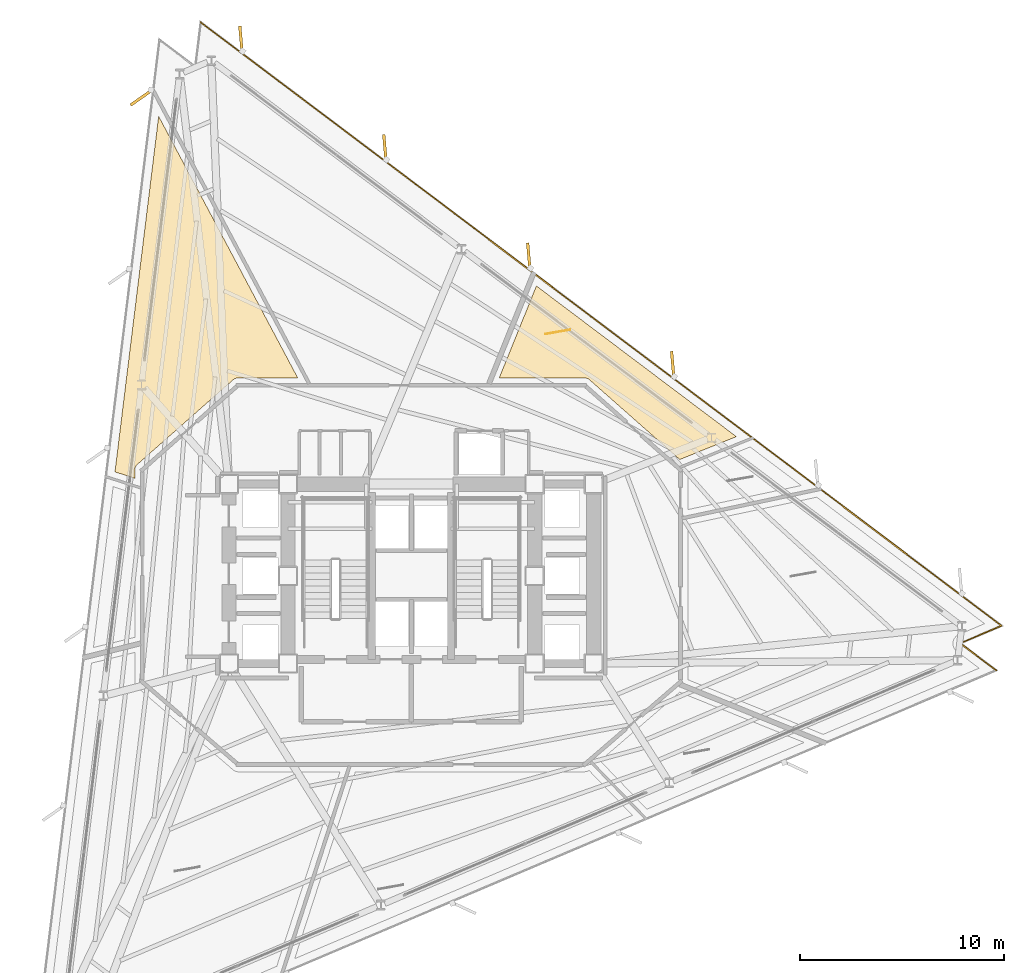
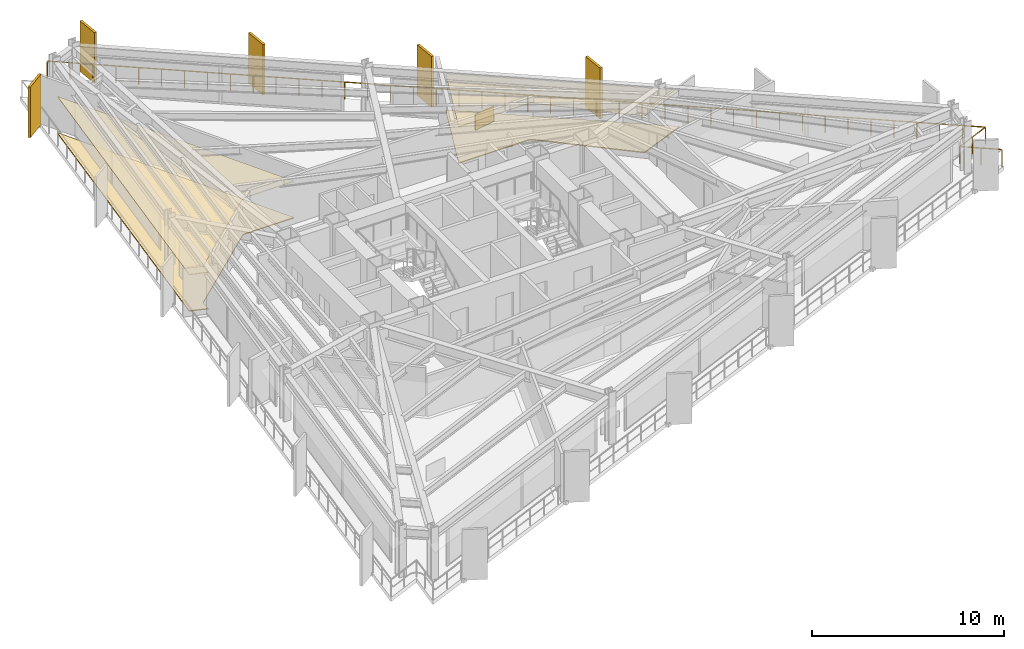
# One storey, part 13 of 13: 5 coverings, 5 shading devices, 1 railing.
"""IFC4 building model written with IfcOpenShell, lengths in metres."""

from ifc_helpers import new_model, si_unit, direction, frame, origin, origin_2d, place, context, subcontext, project, spatial, polyline, rectangle, outline, extrude, material, layer, layer_set, type_object, element, save


model = new_model("IFC4")

# Units and contexts
model_context = context("Model", 3, precision=1e-05, world=origin(), true_north=direction((0.0, 1.0)))
body_context = subcontext(model_context, "Body", "Model", "MODEL_VIEW")
ifc_project = project(units=[si_unit("LENGTHUNIT", "METRE"), si_unit("AREAUNIT", "SQUARE_METRE"), si_unit("VOLUMEUNIT", "CUBIC_METRE"), si_unit("PLANEANGLEUNIT", "RADIAN"), si_unit("MASSUNIT", "GRAM", prefix="KILO")], contexts=[model_context])

# Site, building, storey
site_placement = place(None, origin())
site = spatial("IfcSite", under=ifc_project, at=site_placement, CompositionType="ELEMENT")
building_placement = place(site_placement, origin())
building = spatial("IfcBuilding", under=site, at=building_placement, Name="Rocaltana Carrier Exchange", CompositionType="ELEMENT")
storey_placement = place(building_placement, frame((0.0, 0.0, 52.9599609375)))
storey = spatial("IfcBuildingStorey", under=building, at=storey_placement, Name="L16", CompositionType="ELEMENT", Elevation=52.9599609375)

# Coverings
ifc_material_1 = material(Name="Calcium Sulphate & Aluminium Pedestal", Category="aluminium")
ifc_layer_1 = layer(ifc_material_1, 0.06005859375)
ifc_layer_set_1 = layer_set([ifc_layer_1], Name="Calcium Sulphate & Aluminium Pedestal")
covering_type_1 = type_object("IfcCoveringType", Name="Anti-Static Raised Exchange Access Floor 60", PredefinedType="FLOORING", material=ifc_layer_set_1)
covering_1_placement = place(storey_placement, origin())
element("IfcCovering", 1, at=covering_1_placement, inside=storey, type_object=covering_type_1, Name="L16 Network Engineering Studio Finish Floor", PredefinedType="FLOORING", context=body_context, shape_type="SweptSolid", body=[
    extrude(outline(polyline([(15.944580078125, 6.830322265625), (13.16796875, 5.70849609375), (8.73828125, 9.619873046875), (8.727294921875, 9.629150390625), (8.720703125, 9.63427734375), (8.697265625, 9.651123046875), (8.690185546875, 9.655517578125), (8.6650390625, 9.669921875), (8.65771484375, 9.673583984375), (8.631103515625, 9.68505859375), (8.62353515625, 9.68798828125), (8.595947265625, 9.697021484375), (8.587890625, 9.698974609375), (8.5595703125, 9.704833984375), (8.551513671875, 9.706298828125), (8.522705078125, 9.709228515625), (8.514404296875, 9.709716796875), (8.5, 9.7099609375), (4.311279296875, 9.7099609375), (6.134521484375, 14.222900390625), (15.944580078125, 6.830322265625)])), origin(), (0.0, 0.0, 1.0), 0.06005859375),
])
covering_2_placement = place(storey_placement, origin())
element("IfcCovering", 2, at=covering_2_placement, inside=storey, type_object=covering_type_1, Name="L16 Photonic Integration Workshop Finish Floor", PredefinedType="FLOORING", context=body_context, shape_type="SweptSolid", body=[
    extrude(outline(polyline([(-12.3955078125, 22.545654296875), (-5.570556640625, 9.7099609375), (-8.5, 9.7099609375), (-8.514404296875, 9.709716796875), (-8.522705078125, 9.709228515625), (-8.551513671875, 9.706298828125), (-8.5595703125, 9.704833984375), (-8.587890625, 9.698974609375), (-8.595947265625, 9.697021484375), (-8.62353515625, 9.68798828125), (-8.631103515625, 9.68505859375), (-8.65771484375, 9.673583984375), (-8.6650390625, 9.669921875), (-8.690185546875, 9.655517578125), (-8.697265625, 9.651123046875), (-8.720703125, 9.63427734375), (-8.727294921875, 9.629150390625), (-8.73828125, 9.619873046875), (-13.438232421875, 5.469970703125), (-13.447998046875, 5.4609375), (-13.453369140625, 5.455810546875), (-13.471435546875, 5.436279296875), (-13.476318359375, 5.4306640625), (-13.492431640625, 5.409912109375), (-13.49658203125, 5.40380859375), (-13.5107421875, 5.38134765625), (-13.5146484375, 5.375), (-13.526611328125, 5.351318359375), (-13.529541015625, 5.344482421875), (-13.539306640625, 5.320068359375), (-13.541748046875, 5.31298828125), (-13.549072265625, 5.28759765625), (-13.55078125, 5.2802734375), (-13.555908203125, 5.25439453125), (-13.556884765625, 5.246826171875), (-13.559326171875, 5.220703125), (-13.559814453125, 5.213134765625), (-13.56005859375, 5.199951171875), (-13.56005859375, 4.784423828125), (-14.537353515625, 5.10205078125), (-12.3955078125, 22.545654296875)])), origin(), (0.0, 0.0, 1.0), 0.06005859375),
])
ifc_material_2 = material(Name="Mineral Fibre & Powder-Coated Aluminium", Category="aluminium")
ifc_layer_2 = layer(ifc_material_2, 0.044921875)
ifc_layer_set_2 = layer_set([ifc_layer_2], Name="Mineral Fibre & Powder-Coated Aluminium")
covering_type_2 = type_object("IfcCoveringType", Name="Micro-Perforated Acoustic Ceiling 45", PredefinedType="CEILING", material=ifc_layer_set_2)
covering_3_placement = place(storey_placement, frame((0.0, 0.0, 2.322998046875)))
element("IfcCovering", 3, at=covering_3_placement, inside=storey, type_object=covering_type_2, Name="L16 Network Engineering Studio Acoustic Ceiling", PredefinedType="CEILING", context=body_context, shape_type="SweptSolid", body=[
    extrude(outline(polyline([(15.944580078125, 6.830322265625), (13.16796875, 5.70849609375), (8.73828125, 9.619873046875), (8.727294921875, 9.629150390625), (8.720703125, 9.63427734375), (8.697265625, 9.651123046875), (8.690185546875, 9.655517578125), (8.6650390625, 9.669921875), (8.65771484375, 9.673583984375), (8.631103515625, 9.68505859375), (8.62353515625, 9.68798828125), (8.595947265625, 9.697021484375), (8.587890625, 9.698974609375), (8.5595703125, 9.704833984375), (8.551513671875, 9.706298828125), (8.522705078125, 9.709228515625), (8.514404296875, 9.709716796875), (8.5, 9.7099609375), (4.311279296875, 9.7099609375), (6.134521484375, 14.222900390625), (15.944580078125, 6.830322265625)])), origin(), (0.0, 0.0, 1.0), 0.044921875),
])
covering_4_placement = place(storey_placement, frame((0.0, 0.0, 2.322998046875)))
element("IfcCovering", 4, at=covering_4_placement, inside=storey, type_object=covering_type_2, Name="L16 Photonic Integration Workshop Acoustic Ceiling", PredefinedType="CEILING", context=body_context, shape_type="SweptSolid", body=[
    extrude(outline(polyline([(-12.3955078125, 22.545654296875), (-5.570556640625, 9.7099609375), (-8.5, 9.7099609375), (-8.514404296875, 9.709716796875), (-8.522705078125, 9.709228515625), (-8.551513671875, 9.706298828125), (-8.5595703125, 9.704833984375), (-8.587890625, 9.698974609375), (-8.595947265625, 9.697021484375), (-8.62353515625, 9.68798828125), (-8.631103515625, 9.68505859375), (-8.65771484375, 9.673583984375), (-8.6650390625, 9.669921875), (-8.690185546875, 9.655517578125), (-8.697265625, 9.651123046875), (-8.720703125, 9.63427734375), (-8.727294921875, 9.629150390625), (-8.73828125, 9.619873046875), (-13.438232421875, 5.469970703125), (-13.447998046875, 5.4609375), (-13.453369140625, 5.455810546875), (-13.471435546875, 5.436279296875), (-13.476318359375, 5.4306640625), (-13.492431640625, 5.409912109375), (-13.49658203125, 5.40380859375), (-13.5107421875, 5.38134765625), (-13.5146484375, 5.375), (-13.526611328125, 5.351318359375), (-13.529541015625, 5.344482421875), (-13.539306640625, 5.320068359375), (-13.541748046875, 5.31298828125), (-13.549072265625, 5.28759765625), (-13.55078125, 5.2802734375), (-13.555908203125, 5.25439453125), (-13.556884765625, 5.246826171875), (-13.559326171875, 5.220703125), (-13.559814453125, 5.213134765625), (-13.56005859375, 5.199951171875), (-13.56005859375, 4.784423828125), (-14.537353515625, 5.10205078125), (-12.3955078125, 22.545654296875)])), origin(), (0.0, 0.0, 1.0), 0.044921875),
])
ifc_material_3 = material(Name="Honed Piedra Muneca Sandstone", Category="masonry")
ifc_layer_3 = layer(ifc_material_3, 0.034912109375)
ifc_layer_set_3 = layer_set([ifc_layer_3], Name="Honed Piedra Muneca Sandstone")
covering_type_3 = type_object("IfcCoveringType", Name="Stone Facade Cladding 35", PredefinedType="CLADDING", material=ifc_layer_set_3)
covering_5_placement = place(storey_placement, frame((7.176025390625, 11.96630859375, 0.0), z_axis=(0.0, 0.0, 1.0), x_axis=(0.984807753012, 0.173648177667, 0.0)))
element("IfcCovering", 5, at=covering_5_placement, inside=storey, type_object=covering_type_3, Name="L16 Stone Facade Cladding Panel 6", PredefinedType="CLADDING", context=body_context, shape_type="SweptSolid", body=[
    extrude(rectangle(XDim=1.25, YDim=0.034912109375, at=origin_2d()), origin(), (0.0, 0.0, 1.0), 1.050048828125),
])

# Shading devices
ifc_material_4 = material(Name="Honed Bogota Sandstone & Concrete C45/55", Category="masonry")
ifc_layer_4 = layer(ifc_material_4, 0.139892578125)
ifc_layer_set_4 = layer_set([ifc_layer_4], Name="Honed Bogota Sandstone & Concrete C45/55")
shading_device_type = type_object("IfcShadingDeviceType", Name="Vertical Sandstone Shading Fin 1320x140", PredefinedType="USERDEFINED", material=ifc_layer_set_4)
for number, where, z_axis, x_axis, name in (
    (6, (12.822509765625, 10.361083984375, -0.1201171875), (0.0, 0.0, 1.0), (-0.087155742748, 0.996194698092, 0.0), "L16 Sandstone Vertical Fin F1-03"),
    (7, (5.7626953125, 15.680908203125, -0.1201171875), (0.0, 0.0, 1.0), (-0.087155742748, 0.996194698092, 0.0), "L16 Sandstone Vertical Fin F1-04"),
    (8, (-1.29736328125, 21.001220703125, -0.1201171875), (0.0, 0.0, 1.0), (-0.087155742748, 0.996194698092, 0.0), "L16 Sandstone Vertical Fin F1-05"),
    (9, (-8.357421875, 26.321044921875, -0.1201171875), (0.0, 0.0, 1.0), (-0.087155742748, 0.996194698092, 0.0), "L16 Sandstone Vertical Fin F1-06"),
    (10, (-13.2294921875, 23.472412109375, -0.1201171875), (0.0, 0.0, 1.0), (-0.819152044289, -0.573576436351, 0.0), "L16 Sandstone Vertical Fin F2-01"),
):
    element("IfcShadingDevice", number, at=place(storey_placement, frame(where, z_axis=z_axis, x_axis=x_axis)), inside=storey, type_object=shading_device_type, Name=name, ObjectType="FIN", PredefinedType="USERDEFINED", context=body_context, shape_type="SweptSolid", body=[
        extrude(rectangle(XDim=1.320068359375, YDim=0.139892578125, at=origin_2d()), origin(), (0.0, 0.0, 1.0), 3.218017578125),
    ])

# Railing
ifc_material_5 = material(Name="Powder-Coated Aluminium 6063-T6", Category="aluminium")
ifc_layer_5 = layer(ifc_material_5, 0.06005859375)
ifc_layer_set_5 = layer_set([ifc_layer_5], Name="Powder-Coated Aluminium 6063-T6")
railing_type = type_object("IfcRailingType", Name="Wind-Floor & Terrace Perimeter Guardrail 1100", PredefinedType="GUARDRAIL", material=ifc_layer_set_5)
railing_placement = place(storey_placement, frame((-10.332763671875, 27.15771484375, 0.0)))
element("IfcRailing", 11, at=railing_placement, inside=storey, type_object=railing_type, Name="L16 Perimeter Balcony Guardrail 3", PredefinedType="GUARDRAIL", context=body_context, shape_type="SweptSolid", body=[
    extrude(rectangle(XDim=0.048095703125, YDim=0.048095703125, at=origin_2d()), frame((0.0, 0.0, 1.076171875), z_axis=(0.798636489562, -0.60181372329, 0.0), x_axis=(0.60181372329, 0.798636489562, 0.0)), (0.0, 0.0, 1.0), 49.192138671875),
    extrude(rectangle(XDim=0.048095703125, YDim=0.048095703125, at=origin_2d()), frame((39.28662109375, -29.6044921875, 1.076171875), z_axis=(-0.92050559585, -0.390729379504, 0.0), x_axis=(0.390729379504, -0.92050559585, 0.0)), (0.0, 0.0, 1.0), 2.199951171875),
    extrude(rectangle(XDim=0.048095703125, YDim=0.048095703125, at=origin_2d()), frame((37.261474609375, -30.464111328125, 1.076171875), z_axis=(0.798653030423, -0.601791772125, 0.0), x_axis=(0.601791772125, 0.798653030423, 0.0)), (0.0, 0.0, 1.0), 2.199951171875),
    extrude(rectangle(XDim=0.0419921875, YDim=0.0419921875, at=origin_2d()), origin(), (0.0, 0.0, 1.0), 1.052001953125),
    extrude(rectangle(XDim=0.0419921875, YDim=0.0419921875, at=origin_2d()), frame((0.958251953125, -0.72216796875, 0.0)), (0.0, 0.0, 1.0), 1.052001953125),
    extrude(rectangle(XDim=0.0419921875, YDim=0.0419921875, at=origin_2d()), frame((1.91650390625, -1.444091796875, 0.0)), (0.0, 0.0, 1.0), 1.052001953125),
    extrude(rectangle(XDim=0.0419921875, YDim=0.0419921875, at=origin_2d()), frame((2.87451171875, -2.166259765625, 0.0)), (0.0, 0.0, 1.0), 1.052001953125),
    extrude(rectangle(XDim=0.0419921875, YDim=0.0419921875, at=origin_2d()), frame((3.832763671875, -2.88818359375, 0.0)), (0.0, 0.0, 1.0), 1.052001953125),
    extrude(rectangle(XDim=0.0419921875, YDim=0.0419921875, at=origin_2d()), frame((4.791015625, -3.6103515625, 0.0)), (0.0, 0.0, 1.0), 1.052001953125),
    extrude(rectangle(XDim=0.0419921875, YDim=0.0419921875, at=origin_2d()), frame((5.749267578125, -4.332275390625, 0.0)), (0.0, 0.0, 1.0), 1.052001953125),
    extrude(rectangle(XDim=0.0419921875, YDim=0.0419921875, at=origin_2d()), frame((6.70751953125, -5.054443359375, 0.0)), (0.0, 0.0, 1.0), 1.052001953125),
    extrude(rectangle(XDim=0.0419921875, YDim=0.0419921875, at=origin_2d()), frame((7.665771484375, -5.7763671875, 0.0)), (0.0, 0.0, 1.0), 1.052001953125),
    extrude(rectangle(XDim=0.0419921875, YDim=0.0419921875, at=origin_2d()), frame((8.623779296875, -6.49853515625, 0.0)), (0.0, 0.0, 1.0), 1.052001953125),
    extrude(rectangle(XDim=0.0419921875, YDim=0.0419921875, at=origin_2d()), frame((9.58203125, -7.220703125, 0.0)), (0.0, 0.0, 1.0), 1.052001953125),
    extrude(rectangle(XDim=0.0419921875, YDim=0.0419921875, at=origin_2d()), frame((10.540283203125, -7.942626953125, 0.0)), (0.0, 0.0, 1.0), 1.052001953125),
    extrude(rectangle(XDim=0.0419921875, YDim=0.0419921875, at=origin_2d()), frame((11.49853515625, -8.664794921875, 0.0)), (0.0, 0.0, 1.0), 1.052001953125),
    extrude(rectangle(XDim=0.0419921875, YDim=0.0419921875, at=origin_2d()), frame((12.456787109375, -9.38671875, 0.0)), (0.0, 0.0, 1.0), 1.052001953125),
    extrude(rectangle(XDim=0.0419921875, YDim=0.0419921875, at=origin_2d()), frame((13.4150390625, -10.10888671875, 0.0)), (0.0, 0.0, 1.0), 1.052001953125),
    extrude(rectangle(XDim=0.0419921875, YDim=0.0419921875, at=origin_2d()), frame((14.373046875, -10.830810546875, 0.0)), (0.0, 0.0, 1.0), 1.052001953125),
    extrude(rectangle(XDim=0.0419921875, YDim=0.0419921875, at=origin_2d()), frame((15.331298828125, -11.552978515625, 0.0)), (0.0, 0.0, 1.0), 1.052001953125),
    extrude(rectangle(XDim=0.0419921875, YDim=0.0419921875, at=origin_2d()), frame((16.28955078125, -12.275146484375, 0.0)), (0.0, 0.0, 1.0), 1.052001953125),
    extrude(rectangle(XDim=0.0419921875, YDim=0.0419921875, at=origin_2d()), frame((17.247802734375, -12.9970703125, 0.0)), (0.0, 0.0, 1.0), 1.052001953125),
    extrude(rectangle(XDim=0.0419921875, YDim=0.0419921875, at=origin_2d()), frame((18.2060546875, -13.71923828125, 0.0)), (0.0, 0.0, 1.0), 1.052001953125),
    extrude(rectangle(XDim=0.0419921875, YDim=0.0419921875, at=origin_2d()), frame((19.164306640625, -14.441162109375, 0.0)), (0.0, 0.0, 1.0), 1.052001953125),
    extrude(rectangle(XDim=0.0419921875, YDim=0.0419921875, at=origin_2d()), frame((20.122314453125, -15.163330078125, 0.0)), (0.0, 0.0, 1.0), 1.052001953125),
    extrude(rectangle(XDim=0.0419921875, YDim=0.0419921875, at=origin_2d()), frame((21.08056640625, -15.88525390625, 0.0)), (0.0, 0.0, 1.0), 1.052001953125),
    extrude(rectangle(XDim=0.0419921875, YDim=0.0419921875, at=origin_2d()), frame((22.038818359375, -16.607421875, 0.0)), (0.0, 0.0, 1.0), 1.052001953125),
    extrude(rectangle(XDim=0.0419921875, YDim=0.0419921875, at=origin_2d()), frame((22.9970703125, -17.329345703125, 0.0)), (0.0, 0.0, 1.0), 1.052001953125),
    extrude(rectangle(XDim=0.0419921875, YDim=0.0419921875, at=origin_2d()), frame((23.955322265625, -18.051513671875, 0.0)), (0.0, 0.0, 1.0), 1.052001953125),
    extrude(rectangle(XDim=0.0419921875, YDim=0.0419921875, at=origin_2d()), frame((24.91357421875, -18.773681640625, 0.0)), (0.0, 0.0, 1.0), 1.052001953125),
    extrude(rectangle(XDim=0.0419921875, YDim=0.0419921875, at=origin_2d()), frame((25.87158203125, -19.49560546875, 0.0)), (0.0, 0.0, 1.0), 1.052001953125),
    extrude(rectangle(XDim=0.0419921875, YDim=0.0419921875, at=origin_2d()), frame((26.829833984375, -20.2177734375, 0.0)), (0.0, 0.0, 1.0), 1.052001953125),
    extrude(rectangle(XDim=0.0419921875, YDim=0.0419921875, at=origin_2d()), frame((27.7880859375, -20.939697265625, 0.0)), (0.0, 0.0, 1.0), 1.052001953125),
    extrude(rectangle(XDim=0.0419921875, YDim=0.0419921875, at=origin_2d()), frame((28.746337890625, -21.661865234375, 0.0)), (0.0, 0.0, 1.0), 1.052001953125),
    extrude(rectangle(XDim=0.0419921875, YDim=0.0419921875, at=origin_2d()), frame((29.70458984375, -22.3837890625, 0.0)), (0.0, 0.0, 1.0), 1.052001953125),
    extrude(rectangle(XDim=0.0419921875, YDim=0.0419921875, at=origin_2d()), frame((30.662841796875, -23.10595703125, 0.0)), (0.0, 0.0, 1.0), 1.052001953125),
    extrude(rectangle(XDim=0.0419921875, YDim=0.0419921875, at=origin_2d()), frame((31.620849609375, -23.828125, 0.0)), (0.0, 0.0, 1.0), 1.052001953125),
    extrude(rectangle(XDim=0.0419921875, YDim=0.0419921875, at=origin_2d()), frame((32.5791015625, -24.550048828125, 0.0)), (0.0, 0.0, 1.0), 1.052001953125),
    extrude(rectangle(XDim=0.0419921875, YDim=0.0419921875, at=origin_2d()), frame((33.537353515625, -25.272216796875, 0.0)), (0.0, 0.0, 1.0), 1.052001953125),
    extrude(rectangle(XDim=0.0419921875, YDim=0.0419921875, at=origin_2d()), frame((34.49560546875, -25.994140625, 0.0)), (0.0, 0.0, 1.0), 1.052001953125),
    extrude(rectangle(XDim=0.0419921875, YDim=0.0419921875, at=origin_2d()), frame((35.453857421875, -26.71630859375, 0.0)), (0.0, 0.0, 1.0), 1.052001953125),
    extrude(rectangle(XDim=0.0419921875, YDim=0.0419921875, at=origin_2d()), frame((36.412109375, -27.438232421875, 0.0)), (0.0, 0.0, 1.0), 1.052001953125),
    extrude(rectangle(XDim=0.0419921875, YDim=0.0419921875, at=origin_2d()), frame((37.3701171875, -28.160400390625, 0.0)), (0.0, 0.0, 1.0), 1.052001953125),
    extrude(rectangle(XDim=0.0419921875, YDim=0.0419921875, at=origin_2d()), frame((38.328369140625, -28.88232421875, 0.0)), (0.0, 0.0, 1.0), 1.052001953125),
    extrude(rectangle(XDim=0.0419921875, YDim=0.0419921875, at=origin_2d()), frame((39.28662109375, -29.6044921875, 0.0)), (0.0, 0.0, 1.0), 1.052001953125),
    extrude(rectangle(XDim=0.0419921875, YDim=0.0419921875, at=origin_2d()), frame((38.27392578125, -30.0341796875, 0.0)), (0.0, 0.0, 1.0), 1.052001953125),
    extrude(rectangle(XDim=0.0419921875, YDim=0.0419921875, at=origin_2d()), frame((37.261474609375, -30.464111328125, 0.0)), (0.0, 0.0, 1.0), 1.052001953125),
    extrude(rectangle(XDim=0.0419921875, YDim=0.0419921875, at=origin_2d()), frame((38.14013671875, -31.1259765625, 0.0)), (0.0, 0.0, 1.0), 1.052001953125),
    extrude(rectangle(XDim=0.0419921875, YDim=0.0419921875, at=origin_2d()), frame((39.0185546875, -31.7880859375, 0.0)), (0.0, 0.0, 1.0), 1.052001953125),
])

save(model, "model.ifc")
